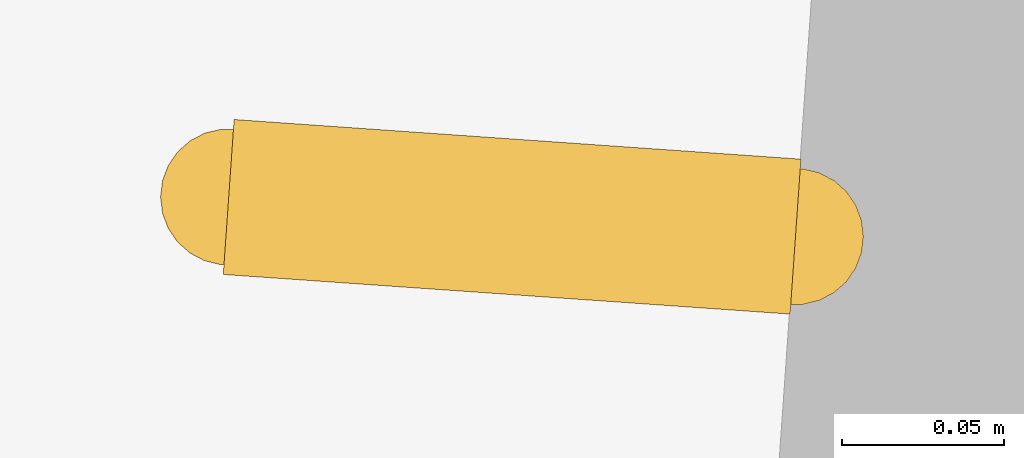
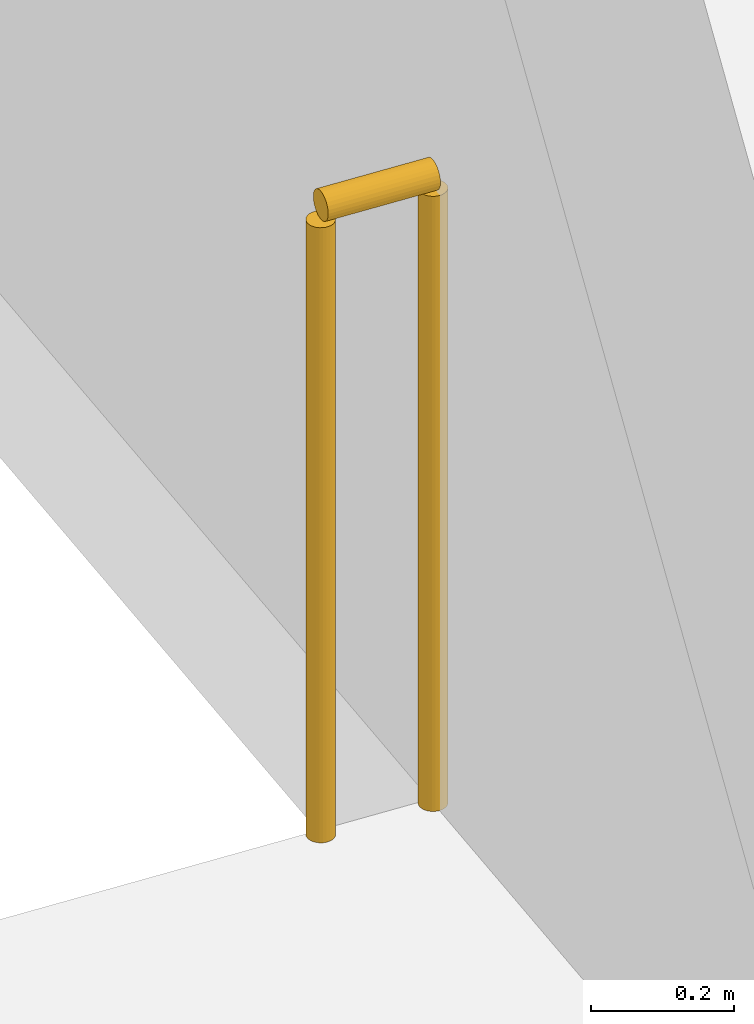
# One storey, part 110 of 110: 1 railing.
"""IFC4 building model written with IfcOpenShell, lengths in metres."""

from ifc_helpers import new_model, si_unit, direction, frame, origin, origin_2d, place, context, subcontext, project, spatial, circle, extrude, material, type_object, element, save


model = new_model("IFC4")

# Units and contexts
model_context = context("Model", 3, precision=1e-05, world=origin(), true_north=direction((0.0, 1.0)))
body_context = subcontext(model_context, "Body", "Model", "MODEL_VIEW")
ifc_project = project(units=[si_unit("LENGTHUNIT", "METRE"), si_unit("AREAUNIT", "SQUARE_METRE"), si_unit("VOLUMEUNIT", "CUBIC_METRE"), si_unit("PLANEANGLEUNIT", "RADIAN"), si_unit("MASSUNIT", "GRAM", prefix="KILO")], contexts=[model_context])

# Site, building, storey
site_placement = place(None, origin())
site = spatial("IfcSite", under=ifc_project, at=site_placement, CompositionType="ELEMENT")
building_placement = place(site_placement, origin())
building = spatial("IfcBuilding", under=site, at=building_placement, Name="Windward Yard Aquatics Centre", CompositionType="ELEMENT")
storey_placement = place(building_placement, frame((0.0, 0.0, 22.60009765625)))
storey = spatial("IfcBuildingStorey", under=building, at=storey_placement, Name="L05", CompositionType="ELEMENT", Elevation=22.60009765625)

# Railing
ifc_material = material(Name="Stainless steel 1.4529", Category="steel")
railing_type = type_object("IfcRailingType", Name="W guard 1100", PredefinedType="GUARDRAIL", material=ifc_material)
railing_placement = place(storey_placement, frame((152.3427734375, 126.48583984375, 0.0)))
element("IfcRailing", 1, at=railing_placement, inside=storey, type_object=railing_type, Name="W.GS.E.L05.2", PredefinedType="GUARDRAIL", context=body_context, shape_type="SweptSolid", body=[
    extrude(circle(Radius=0.02392578125, at=origin_2d()), frame((0.0, 0.0, 1.076171875), z_axis=(0.997563824095, -0.069759707979, 0.0), x_axis=(0.069759707979, 0.997563824095, 0.0)), (0.0, 0.0, 1.0), 0.175048828125),
    extrude(circle(Radius=0.02099609375, at=origin_2d()), origin(), (0.0, 0.0, 1.0), 1.052001953125),
    extrude(circle(Radius=0.02099609375, at=origin_2d()), frame((0.174560546875, -0.01220703125, 0.0)), (0.0, 0.0, 1.0), 1.052001953125),
])

save(model, "model.ifc")
